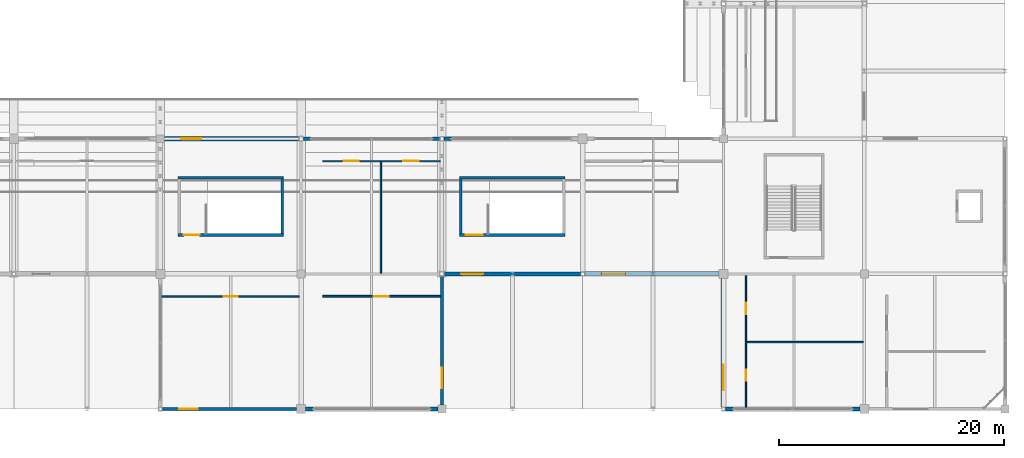
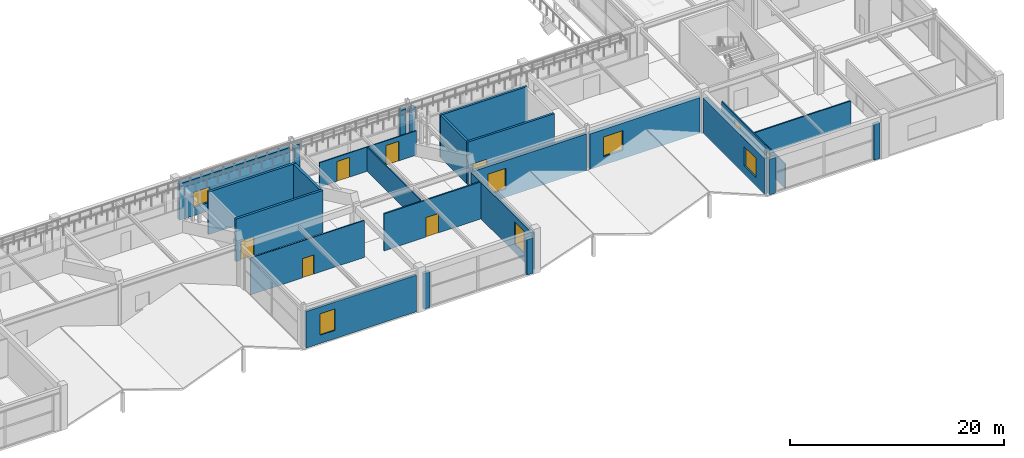
# One storey, part 91 of 128: 25 walls, 8 doors, 6 windows, 14 openings.
"""IFC4 building model written with IfcOpenShell, lengths in metres."""

from ifc_helpers import new_model, si_unit, direction, frame, frame_2d, origin, place, context, subcontext, project, spatial, rectangle, extrude, material, layer, layer_set, type_object, element, fill, save


model = new_model("IFC4")

# Units and contexts
model_context = context("Model", 3, precision=1e-05, world=origin(), true_north=direction((0.0, 1.0)))
body_context = subcontext(model_context, "Body", "Model", "MODEL_VIEW")
ifc_project = project(units=[si_unit("LENGTHUNIT", "METRE"), si_unit("AREAUNIT", "SQUARE_METRE"), si_unit("VOLUMEUNIT", "CUBIC_METRE"), si_unit("PLANEANGLEUNIT", "RADIAN"), si_unit("MASSUNIT", "GRAM", prefix="KILO")], contexts=[model_context])

# Site, building, storey
site_placement = place(None, origin())
site = spatial("IfcSite", under=ifc_project, at=site_placement, CompositionType="ELEMENT")
building_placement = place(site_placement, origin())
building = spatial("IfcBuilding", under=site, at=building_placement, Name="Kazenohara Klinker Stadium", CompositionType="ELEMENT")
storey_placement = place(building_placement, frame((0.0, 0.0, 15.300048828125)))
storey = spatial("IfcBuildingStorey", under=building, at=storey_placement, Name="L03", CompositionType="ELEMENT", Elevation=15.300048828125)

# Wall, opening, door
ifc_material_1 = material(Name="Concrete C40/50", Category="concrete")
ifc_layer_1 = layer(ifc_material_1, 0.22998046875)
ifc_layer_set_1 = layer_set([ifc_layer_1], Name="Concrete C40/50")
wall_type_1 = type_object("IfcWallType", Name="WAL-CORE-230", PredefinedType="SHEAR", material=ifc_layer_set_1)
wall_1_placement = place(storey_placement, frame((151.570068359375, 27.455078125, 0.0), z_axis=(0.0, 0.0, 1.0), x_axis=(1.0, 0.0, 0.0)))
wall_1 = element("IfcWall", 1, at=wall_1_placement, inside=storey, type_object=wall_type_1, Name="Stairwell shear wall ST28 L03 South", PredefinedType="SHEAR", context=body_context, shape_type="SweptSolid", body=[
    extrude(rectangle(XDim=9.35986328125, YDim=0.22998046875, at=frame_2d((4.679931640625, 0.0))), origin(), (0.0, 0.0, 1.0), 4.85986328125),
])
opening_1_placement = place(wall_1_placement, frame((0.550048828125, 0.0, 0.0)))
opening_1 = element("IfcOpeningElement", 2, at=opening_1_placement, cuts=wall_1, Name="Opening SD02", PredefinedType="OPENING", context=body_context, shape_type="SweptSolid", body=[
    extrude(rectangle(XDim=1.5, YDim=2.199951171875, at=frame_2d((0.75, 1.10009765625))), frame((0.0, 0.125, 0.0), z_axis=(0.0, -1.0, 0.0), x_axis=(1.0, 0.0, 0.0)), (0.0, 0.0, 1.0), 0.25),
])
ifc_material_2 = material(Name="Flush painted steel fire door leaf", Category="steel")
door_type_1 = type_object("IfcDoorType", Name="DR-STR-1500x2200", OperationType="NOTDEFINED", PredefinedType="DOOR", material=ifc_material_2)
door_1_placement = place(opening_1_placement, origin())
door_1 = element("IfcDoor", 3, at=door_1_placement, inside=storey, type_object=door_type_1, Name="Escape stairwell fire door ST28-L03", OperationType="SINGLE_SWING_RIGHT", OverallHeight=2.199951171875, OverallWidth=1.5, PredefinedType="DOOR", context=body_context, shape_type="SweptSolid", body=[
    extrude(rectangle(XDim=1.5, YDim=2.199951171875, at=frame_2d((0.75, 1.10009765625))), frame((0.0, 0.02490234375, 0.0), z_axis=(0.0, -1.0, 0.0), x_axis=(1.0, 0.0, 0.0)), (0.0, 0.0, 1.0), 0.050048828125),
])
fill(opening_1, door_1)

# Walls
wall_2_placement = place(storey_placement, frame((151.570068359375, 32.544921875, 0.0), z_axis=(0.0, 0.0, 1.0), x_axis=(1.0, 0.0, 0.0)))
element("IfcWall", 4, at=wall_2_placement, inside=storey, type_object=wall_type_1, Name="Stairwell shear wall ST28 L03 North", PredefinedType="SHEAR", context=body_context, shape_type="SweptSolid", body=[
    extrude(rectangle(XDim=9.35986328125, YDim=0.22998046875, at=frame_2d((4.679931640625, 0.0))), origin(), (0.0, 0.0, 1.0), 4.85986328125),
])
wall_3_placement = place(storey_placement, frame((151.68505859375, 27.570068359375, 0.0), z_axis=(0.0, 0.0, 1.0), x_axis=(0.0, 1.0, 0.0)))
element("IfcWall", 5, at=wall_3_placement, inside=storey, type_object=wall_type_1, Name="Stairwell shear wall ST28 L03 West", PredefinedType="SHEAR", context=body_context, shape_type="SweptSolid", body=[
    extrude(rectangle(XDim=4.85986328125, YDim=0.22998046875, at=frame_2d((2.429931640625, 0.0))), origin(), (0.0, 0.0, 1.0), 4.85986328125),
])

# Wall, opening, door
ifc_layer_2 = layer(ifc_material_1, 0.25)
ifc_layer_set_2 = layer_set([ifc_layer_2], Name="Concrete C40/50")
wall_type_2 = type_object("IfcWallType", Name="WAL-CORE-250", PredefinedType="SHEAR", material=ifc_layer_set_2)
wall_4_placement = place(storey_placement, frame((126.550048828125, 27.455078125, 0.0), z_axis=(0.0, 0.0, 1.0), x_axis=(1.0, 0.0, 0.0)))
wall_4 = element("IfcWall", 6, at=wall_4_placement, inside=storey, type_object=wall_type_2, Name="Stairwell shear wall ST27 L03 South", PredefinedType="SHEAR", context=body_context, shape_type="SweptSolid", body=[
    extrude(rectangle(XDim=9.39990234375, YDim=0.25, at=frame_2d((4.699951171875, 0.0))), origin(), (0.0, 0.0, 1.0), 4.85986328125),
])
opening_2_placement = place(wall_4_placement, frame((0.550048828125, 0.0, 0.0)))
opening_2 = element("IfcOpeningElement", 7, at=opening_2_placement, cuts=wall_4, Name="Opening SD01", PredefinedType="OPENING", context=body_context, shape_type="SweptSolid", body=[
    extrude(rectangle(XDim=1.39990234375, YDim=2.14990234375, at=frame_2d((0.699951171875, 1.074951171875))), frame((0.0, 0.135009765625, 0.0), z_axis=(0.0, -1.0, 0.0), x_axis=(1.0, 0.0, 0.0)), (0.0, 0.0, 1.0), 0.27001953125),
])
door_type_2 = type_object("IfcDoorType", Name="DR-STR-1400x2150", OperationType="NOTDEFINED", PredefinedType="DOOR", material=ifc_material_2)
door_2_placement = place(opening_2_placement, origin())
door_2 = element("IfcDoor", 8, at=door_2_placement, inside=storey, type_object=door_type_2, Name="Escape stairwell fire door ST27-L03", OperationType="SINGLE_SWING_RIGHT", OverallHeight=2.14990234375, OverallWidth=1.39990234375, PredefinedType="DOOR", context=body_context, shape_type="SweptSolid", body=[
    extrude(rectangle(XDim=1.39990234375, YDim=2.14990234375, at=frame_2d((0.699951171875, 1.074951171875))), frame((0.0, 0.02490234375, 0.0), z_axis=(0.0, -1.0, 0.0), x_axis=(1.0, 0.0, 0.0)), (0.0, 0.0, 1.0), 0.050048828125),
])
fill(opening_2, door_2)

# Walls
wall_5_placement = place(storey_placement, frame((126.550048828125, 32.544921875, 0.0), z_axis=(0.0, 0.0, 1.0), x_axis=(1.0, 0.0, 0.0)))
element("IfcWall", 9, at=wall_5_placement, inside=storey, type_object=wall_type_2, Name="Stairwell shear wall ST27 L03 North", PredefinedType="SHEAR", context=body_context, shape_type="SweptSolid", body=[
    extrude(rectangle(XDim=9.39990234375, YDim=0.25, at=frame_2d((4.699951171875, 0.0))), origin(), (0.0, 0.0, 1.0), 4.85986328125),
])
wall_6_placement = place(storey_placement, frame((135.824951171875, 27.580078125, 0.0), z_axis=(0.0, 0.0, 1.0), x_axis=(0.0, 1.0, 0.0)))
element("IfcWall", 10, at=wall_6_placement, inside=storey, type_object=wall_type_2, Name="Stairwell shear wall ST27 L03 East", PredefinedType="SHEAR", context=body_context, shape_type="SweptSolid", body=[
    extrude(rectangle(XDim=4.83984375, YDim=0.25, at=frame_2d((2.419921875, 0.0))), origin(), (0.0, 0.0, 1.0), 4.85986328125),
])

# Wall, opening, window
ifc_material_3 = material(Name="Clinker brick masonry", Category="masonry")
ifc_layer_3 = layer(ifc_material_3, 0.280029296875)
ifc_layer_set_3 = layer_set([ifc_layer_3], Name="Clinker brick masonry")
wall_type_3 = type_object("IfcWallType", Name="WAL-EXT-CB280", PredefinedType="SOLIDWALL", material=ifc_layer_set_3)
wall_7_placement = place(storey_placement, frame((125.178955078125, 12.0, 0.0), z_axis=(0.0, 0.0, 1.0), x_axis=(1.0, 0.0, 0.0)))
wall_7 = element("IfcWall", 11, at=wall_7_placement, inside=storey, type_object=wall_type_3, Name="Clinker brick cavity wall EW06 L03 X10-1", PredefinedType="SOLIDWALL", context=body_context, shape_type="SweptSolid", body=[
    extrude(rectangle(XDim=11.9169921875, YDim=0.280029296875, at=frame_2d((5.95849609375, 0.0))), origin(), (0.0, 0.0, 1.0), 4.171875),
])
opening_3_placement = place(wall_7_placement, frame((1.5, 0.0, 0.949951171875)))
opening_3 = element("IfcOpeningElement", 12, at=opening_3_placement, cuts=wall_7, Name="Opening W12", PredefinedType="OPENING", context=body_context, shape_type="SweptSolid", body=[
    extrude(rectangle(XDim=1.64990234375, YDim=2.449951171875, at=frame_2d((0.824951171875, 1.22509765625))), frame((0.0, 0.14990234375, 0.0), z_axis=(0.0, -1.0, 0.0), x_axis=(1.0, 0.0, 0.0)), (0.0, 0.0, 1.0), 0.300048828125),
])
ifc_material_4 = material(Name="Dark bronze aluminium frame and triple glazing", Category="aluminium")
window_type_1 = type_object("IfcWindowType", Name="WIN-AS-12", PartitioningType="SINGLE_PANEL", PredefinedType="WINDOW", material=ifc_material_4)
window_1_placement = place(opening_3_placement, origin())
window_1 = element("IfcWindow", 13, at=window_1_placement, inside=storey, type_object=window_type_1, Name="Horizontal-mullion ladder window W12 L03 X10-1", OverallHeight=2.449951171875, OverallWidth=1.64990234375, PartitioningType="SINGLE_PANEL", PredefinedType="WINDOW", context=body_context, shape_type="SweptSolid", body=[
    extrude(rectangle(XDim=1.64990234375, YDim=2.449951171875, at=frame_2d((0.824951171875, 1.22509765625))), frame((0.0, 0.030029296875, 0.0), z_axis=(0.0, -1.0, 0.0), x_axis=(1.0, 0.0, 0.0)), (0.0, 0.0, 1.0), 0.06005859375),
])
fill(opening_3, window_1)

wall_8_placement = place(storey_placement, frame((150.0, 12.35400390625, 0.0), z_axis=(0.0, 0.0, 1.0), x_axis=(0.0, 1.0, 0.0)))
wall_8 = element("IfcWall", 14, at=wall_8_placement, inside=storey, type_object=wall_type_3, Name="Clinker brick cavity wall EW06 L03 Y12-1", PredefinedType="SOLIDWALL", context=body_context, shape_type="SweptSolid", body=[
    extrude(rectangle(XDim=11.44189453125, YDim=0.280029296875, at=frame_2d((5.720947265625, 0.0))), origin(), (0.0, 0.0, 1.0), 4.159912109375),
])
opening_4_placement = place(wall_8_placement, frame((1.5, 0.0, 0.949951171875)))
opening_4 = element("IfcOpeningElement", 15, at=opening_4_placement, cuts=wall_8, Name="Opening W15", PredefinedType="OPENING", context=body_context, shape_type="SweptSolid", body=[
    extrude(rectangle(XDim=1.800048828125, YDim=2.550048828125, at=frame_2d((0.89990234375, 1.27490234375))), frame((0.0, 0.14990234375, 0.0), z_axis=(0.0, -1.0, 0.0), x_axis=(1.0, 0.0, 0.0)), (0.0, 0.0, 1.0), 0.300048828125),
])
window_type_2 = type_object("IfcWindowType", Name="WIN-AS-15", PartitioningType="SINGLE_PANEL", PredefinedType="WINDOW", material=ifc_material_4)
window_2_placement = place(opening_4_placement, origin())
window_2 = element("IfcWindow", 16, at=window_2_placement, inside=storey, type_object=window_type_2, Name="Horizontal-mullion ladder window W15 L03 Y12-1", OverallHeight=2.550048828125, OverallWidth=1.800048828125, PartitioningType="SINGLE_PANEL", PredefinedType="WINDOW", context=body_context, shape_type="SweptSolid", body=[
    extrude(rectangle(XDim=1.800048828125, YDim=2.550048828125, at=frame_2d((0.89990234375, 1.27490234375))), frame((0.0, 0.030029296875, 0.0), z_axis=(0.0, -1.0, 0.0), x_axis=(1.0, 0.0, 0.0)), (0.0, 0.0, 1.0), 0.06005859375),
])
fill(opening_4, window_2)

# Walls
ifc_layer_4 = layer(ifc_material_3, 0.340087890625)
ifc_layer_set_4 = layer_set([ifc_layer_4], Name="Clinker brick masonry")
wall_type_4 = type_object("IfcWallType", Name="WAL-EXT-CB340", PredefinedType="SOLIDWALL", material=ifc_layer_set_4)
for number, where, z_axis, x_axis, name in (
    (17, (137.904052734375, 12.0, 0.0), (0.0, 0.0, 1.0), (1.0, 0.0, 0.0), "Clinker brick curtain-wall jamb pier L03 X11-1 A"),
    (18, (148.99609375, 12.0, 0.0), (0.0, 0.0, 1.0), (1.0, 0.0, 0.0), "Clinker brick curtain-wall jamb pier L03 X11-1 B"),
):
    element("IfcWall", number, at=place(storey_placement, frame(where, z_axis=z_axis, x_axis=x_axis)), inside=storey, type_object=wall_type_4, Name=name, PredefinedType="SOLIDWALL", context=body_context, shape_type="SweptSolid", body=[
        extrude(rectangle(XDim=0.64990234375, YDim=0.340087890625, at=frame_2d((0.324951171875, 0.0))), origin(), (0.0, 0.0, 1.0), 4.06005859375),
    ])
wall_9_placement = place(storey_placement, frame((137.7041015625, 36.0, 0.0), z_axis=(0.0, 0.0, 1.0), x_axis=(1.0, 0.0, 0.0)))
element("IfcWall", 19, at=wall_9_placement, inside=storey, type_object=wall_type_4, Name="Clinker brick curtain-wall jamb pier L03 X11-3 A", PredefinedType="SOLIDWALL", context=body_context, shape_type="SweptSolid", body=[
    extrude(rectangle(XDim=0.64990234375, YDim=0.340087890625, at=frame_2d((0.324951171875, 0.0))), origin(), (0.0, 0.0, 1.0), 4.171875),
])
wall_10_placement = place(storey_placement, frame((149.1708984375, 36.0, 0.0), z_axis=(0.0, 0.0, 1.0), x_axis=(1.0, 0.0, 0.0)))
element("IfcWall", 20, at=wall_10_placement, inside=storey, type_object=wall_type_4, Name="Clinker brick curtain-wall jamb pier L03 X11-3 B", PredefinedType="SOLIDWALL", context=body_context, shape_type="SweptSolid", body=[
    extrude(rectangle(XDim=0.650146484375, YDim=0.340087890625, at=frame_2d((0.3251953125, 0.0))), origin(), (0.0, 0.0, 1.0), 4.171875),
])

# Wall, opening, window
wall_11_placement = place(storey_placement, frame((150.2041015625, 24.0, 0.0), z_axis=(0.0, 0.0, 1.0), x_axis=(1.0, 0.0, 0.0)))
wall_11 = element("IfcWall", 21, at=wall_11_placement, inside=storey, type_object=wall_type_4, Name="Clinker brick cavity wall EW04 L03 X12-2", PredefinedType="SOLIDWALL", context=body_context, shape_type="SweptSolid", body=[
    extrude(rectangle(XDim=12.116943359375, YDim=0.340087890625, at=frame_2d((6.05859375, 0.0))), origin(), (0.0, 0.0, 1.0), 4.171875),
])
opening_5_placement = place(wall_11_placement, frame((1.5, 0.0, 0.949951171875)))
opening_5 = element("IfcOpeningElement", 22, at=opening_5_placement, cuts=wall_11, Name="Opening W17", PredefinedType="OPENING", context=body_context, shape_type="SweptSolid", body=[
    extrude(rectangle(XDim=1.949951171875, YDim=2.35009765625, at=frame_2d((0.97509765625, 1.175048828125))), frame((0.0, 0.18017578125, 0.0), z_axis=(0.0, -1.0, 0.0), x_axis=(1.0, 0.0, 0.0)), (0.0, 0.0, 1.0), 0.360107421875),
])
window_type_3 = type_object("IfcWindowType", Name="WIN-AS-17", PartitioningType="SINGLE_PANEL", PredefinedType="WINDOW", material=ifc_material_4)
window_3_placement = place(opening_5_placement, origin())
window_3 = element("IfcWindow", 23, at=window_3_placement, inside=storey, type_object=window_type_3, Name="Horizontal-mullion ladder window W17 L03 X12-2", OverallHeight=2.35009765625, OverallWidth=1.949951171875, PartitioningType="SINGLE_PANEL", PredefinedType="WINDOW", context=body_context, shape_type="SweptSolid", body=[
    extrude(rectangle(XDim=1.949951171875, YDim=2.35009765625, at=frame_2d((0.97509765625, 1.175048828125))), frame((0.0, 0.030029296875, 0.0), z_axis=(0.0, -1.0, 0.0), x_axis=(1.0, 0.0, 0.0)), (0.0, 0.0, 1.0), 0.06005859375),
])
fill(opening_5, window_3)

# Walls
for number, where, z_axis, x_axis, name in (
    (24, (150.178955078125, 36.0, 0.0), (0.0, 0.0, 1.0), (1.0, 0.0, 0.0), "Clinker brick curtain-wall jamb pier L03 X12-3 A"),
    (25, (175.178955078125, 12.0, 0.0), (0.0, 0.0, 1.0), (1.0, 0.0, 0.0), "Clinker brick curtain-wall jamb pier L03 X14-1 A"),
):
    element("IfcWall", number, at=place(storey_placement, frame(where, z_axis=z_axis, x_axis=x_axis)), inside=storey, type_object=wall_type_4, Name=name, PredefinedType="SOLIDWALL", context=body_context, shape_type="SweptSolid", body=[
        extrude(rectangle(XDim=0.650146484375, YDim=0.340087890625, at=frame_2d((0.3251953125, 0.0))), origin(), (0.0, 0.0, 1.0), 4.06005859375),
    ])
wall_12_placement = place(storey_placement, frame((186.446044921875, 12.0, 0.0), z_axis=(0.0, 0.0, 1.0), x_axis=(1.0, 0.0, 0.0)))
element("IfcWall", 26, at=wall_12_placement, inside=storey, type_object=wall_type_4, Name="Clinker brick curtain-wall jamb pier L03 X14-1 B", PredefinedType="SOLIDWALL", context=body_context, shape_type="SweptSolid", body=[
    extrude(rectangle(XDim=0.64990234375, YDim=0.340087890625, at=frame_2d((0.324951171875, 0.0))), origin(), (0.0, 0.0, 1.0), 4.06005859375),
])

# Wall, opening, window
ifc_layer_5 = layer(ifc_material_3, 0.409912109375)
ifc_layer_set_5 = layer_set([ifc_layer_5], Name="Clinker brick masonry")
wall_type_5 = type_object("IfcWallType", Name="WAL-EXT-CB410", PredefinedType="SOLIDWALL", material=ifc_layer_set_5)
wall_13_placement = place(storey_placement, frame((125.35400390625, 36.0, 0.0), z_axis=(0.0, 0.0, 1.0), x_axis=(1.0, 0.0, 0.0)))
wall_13 = element("IfcWall", 27, at=wall_13_placement, inside=storey, type_object=wall_type_5, Name="Clinker brick cavity wall EW02 L03 X10-3", PredefinedType="SOLIDWALL", context=body_context, shape_type="SweptSolid", body=[
    extrude(rectangle(XDim=11.94189453125, YDim=0.409912109375, at=frame_2d((5.970947265625, 0.0))), origin(), (0.0, 0.0, 1.0), 4.159912109375),
])
opening_6_placement = place(wall_13_placement, frame((1.5, 0.0, 0.949951171875)))
opening_6 = element("IfcOpeningElement", 28, at=opening_6_placement, cuts=wall_13, Name="Opening W13", PredefinedType="OPENING", context=body_context, shape_type="SweptSolid", body=[
    extrude(rectangle(XDim=1.800048828125, YDim=1.75, at=frame_2d((0.89990234375, 0.875))), frame((0.0, 0.21484375, 0.0), z_axis=(0.0, -1.0, 0.0), x_axis=(1.0, 0.0, 0.0)), (0.0, 0.0, 1.0), 0.429931640625),
])
window_type_4 = type_object("IfcWindowType", Name="WIN-AS-13", PartitioningType="SINGLE_PANEL", PredefinedType="WINDOW", material=ifc_material_4)
window_4_placement = place(opening_6_placement, origin())
window_4 = element("IfcWindow", 29, at=window_4_placement, inside=storey, type_object=window_type_4, Name="Horizontal-mullion ladder window W13 L03 X10-3", OverallHeight=1.75, OverallWidth=1.800048828125, PartitioningType="SINGLE_PANEL", PredefinedType="WINDOW", context=body_context, shape_type="SweptSolid", body=[
    extrude(rectangle(XDim=1.800048828125, YDim=1.75, at=frame_2d((0.89990234375, 0.875))), frame((0.0, 0.030029296875, 0.0), z_axis=(0.0, -1.0, 0.0), x_axis=(1.0, 0.0, 0.0)), (0.0, 0.0, 1.0), 0.06005859375),
])
fill(opening_6, window_4)

wall_14_placement = place(storey_placement, frame((162.678955078125, 24.0, 0.0), z_axis=(0.0, 0.0, 1.0), x_axis=(1.0, 0.0, 0.0)))
wall_14 = element("IfcWall", 30, at=wall_14_placement, inside=storey, type_object=wall_type_5, Name="Clinker brick cavity wall EW02 L03 X13-2", PredefinedType="SOLIDWALL", context=body_context, shape_type="SweptSolid", body=[
    extrude(rectangle(XDim=11.9169921875, YDim=0.409912109375, at=frame_2d((5.95849609375, 0.0))), origin(), (0.0, 0.0, 1.0), 4.06005859375),
])
opening_7_placement = place(wall_14_placement, frame((1.5, 0.0, 0.949951171875)))
opening_7 = element("IfcOpeningElement", 31, at=opening_7_placement, cuts=wall_14, Name="Opening W19", PredefinedType="OPENING", context=body_context, shape_type="SweptSolid", body=[
    extrude(rectangle(XDim=2.10009765625, YDim=2.25, at=frame_2d((1.050048828125, 1.125))), frame((0.0, 0.21484375, 0.0), z_axis=(0.0, -1.0, 0.0), x_axis=(1.0, 0.0, 0.0)), (0.0, 0.0, 1.0), 0.429931640625),
])
window_type_5 = type_object("IfcWindowType", Name="WIN-AS-19", PartitioningType="SINGLE_PANEL", PredefinedType="WINDOW", material=ifc_material_4)
window_5_placement = place(opening_7_placement, origin())
window_5 = element("IfcWindow", 32, at=window_5_placement, inside=storey, type_object=window_type_5, Name="Horizontal-mullion ladder window W19 L03 X13-2", OverallHeight=2.25, OverallWidth=2.10009765625, PartitioningType="SINGLE_PANEL", PredefinedType="WINDOW", context=body_context, shape_type="SweptSolid", body=[
    extrude(rectangle(XDim=2.10009765625, YDim=2.25, at=frame_2d((1.050048828125, 1.125))), frame((0.0, 0.030029296875, 0.0), z_axis=(0.0, -1.0, 0.0), x_axis=(1.0, 0.0, 0.0)), (0.0, 0.0, 1.0), 0.06005859375),
])
fill(opening_7, window_5)

wall_15_placement = place(storey_placement, frame((175.0, 12.178955078125, 0.0), z_axis=(0.0, 0.0, 1.0), x_axis=(0.0, 1.0, 0.0)))
wall_15 = element("IfcWall", 33, at=wall_15_placement, inside=storey, type_object=wall_type_5, Name="Clinker brick cavity wall EW02 L03 Y14-1", PredefinedType="SOLIDWALL", context=body_context, shape_type="SweptSolid", body=[
    extrude(rectangle(XDim=11.4169921875, YDim=0.409912109375, at=frame_2d((5.70849609375, 0.0))), origin(), (0.0, 0.0, 1.0), 4.06005859375),
])
opening_8_placement = place(wall_15_placement, frame((1.5, 0.0, 0.949951171875)))
opening_8 = element("IfcOpeningElement", 34, at=opening_8_placement, cuts=wall_15, Name="Opening W22", PredefinedType="OPENING", context=body_context, shape_type="SweptSolid", body=[
    extrude(rectangle(XDim=2.25, YDim=2.199951171875, at=frame_2d((1.125, 1.10009765625))), frame((0.0, 0.21484375, 0.0), z_axis=(0.0, -1.0, 0.0), x_axis=(1.0, 0.0, 0.0)), (0.0, 0.0, 1.0), 0.429931640625),
])
window_type_6 = type_object("IfcWindowType", Name="WIN-AS-22", PartitioningType="SINGLE_PANEL", PredefinedType="WINDOW", material=ifc_material_4)
window_6_placement = place(opening_8_placement, origin())
window_6 = element("IfcWindow", 35, at=window_6_placement, inside=storey, type_object=window_type_6, Name="Horizontal-mullion ladder window W22 L03 Y14-1", OverallHeight=2.199951171875, OverallWidth=2.25, PartitioningType="SINGLE_PANEL", PredefinedType="WINDOW", context=body_context, shape_type="SweptSolid", body=[
    extrude(rectangle(XDim=2.25, YDim=2.199951171875, at=frame_2d((1.125, 1.10009765625))), frame((0.0, 0.030029296875, 0.0), z_axis=(0.0, -1.0, 0.0), x_axis=(1.0, 0.0, 0.0)), (0.0, 0.0, 1.0), 0.06005859375),
])
fill(opening_8, window_6)

# Wall, openings, doors
ifc_material_5 = material(Name="Fire-rated gypsum board on acoustic studs", Category="gypsum")
ifc_layer_6 = layer(ifc_material_5, 0.110107421875)
ifc_layer_set_6 = layer_set([ifc_layer_6], Name="Fire-rated gypsum board on acoustic studs")
wall_type_6 = type_object("IfcWallType", Name="WAL-INT-P110", PredefinedType="PARTITIONING", material=ifc_layer_set_6)
wall_16_placement = place(storey_placement, frame((139.419921875, 34.010009765625, 0.0), z_axis=(0.0, 0.0, 1.0), x_axis=(1.0, 0.0, 0.0)))
wall_16 = element("IfcWall", 36, at=wall_16_placement, inside=storey, type_object=wall_type_6, Name="Interior partition wall PT01 SPC-L03-11-02-1-1", PredefinedType="PARTITIONING", context=body_context, shape_type="SweptSolid", body=[
    extrude(rectangle(XDim=10.420166015625, YDim=0.110107421875, at=frame_2d((5.2099609375, 0.0))), origin(), (0.0, 0.0, 1.0), 2.77001953125),
])
opening_9_placement = place(wall_16_placement, frame((3.218994140625, 0.0, 0.0), z_axis=(0.0, 0.0, 1.0), x_axis=(-1.0, 0.0, 0.0)))
opening_9 = element("IfcOpeningElement", 37, at=opening_9_placement, cuts=wall_16, Name="Opening ID17", PredefinedType="OPENING", context=body_context, shape_type="SweptSolid", body=[
    extrude(rectangle(XDim=1.360107421875, YDim=2.25, at=frame_2d((0.68017578125, 1.125))), frame((0.0, 0.06494140625, 0.0), z_axis=(0.0, -1.0, 0.0), x_axis=(1.0, 0.0, 0.0)), (0.0, 0.0, 1.0), 0.130126953125),
])
opening_10_placement = place(wall_16_placement, frame((8.52880859375, 0.0, 0.0), z_axis=(0.0, 0.0, 1.0), x_axis=(-1.0, 0.0, 0.0)))
opening_10 = element("IfcOpeningElement", 38, at=opening_10_placement, cuts=wall_16, Name="Opening ID18", PredefinedType="OPENING", context=body_context, shape_type="SweptSolid", body=[
    extrude(rectangle(XDim=1.39990234375, YDim=2.239990234375, at=frame_2d((0.699951171875, 1.1201171875))), frame((0.0, 0.06494140625, 0.0), z_axis=(0.0, -1.0, 0.0), x_axis=(1.0, 0.0, 0.0)), (0.0, 0.0, 1.0), 0.130126953125),
])
ifc_material_6 = material(Name="Solid-core Hokkaido oak fire door", Category="wood")
door_type_3 = type_object("IfcDoorType", Name="DR-INT-17", OperationType="NOTDEFINED", PredefinedType="DOOR", material=ifc_material_6)
door_3_placement = place(opening_9_placement, origin())
door_3 = element("IfcDoor", 39, at=door_3_placement, inside=storey, type_object=door_type_3, Name="Interior door ID17 East Panorama Concourse Dining Court L03-1102A", OperationType="SINGLE_SWING_RIGHT", OverallHeight=2.25, OverallWidth=1.360107421875, PredefinedType="DOOR", context=body_context, shape_type="SweptSolid", body=[
    extrude(rectangle(XDim=1.360107421875, YDim=2.25, at=frame_2d((0.68017578125, 1.125))), frame((0.0, 0.02490234375, 0.0), z_axis=(0.0, -1.0, 0.0), x_axis=(1.0, 0.0, 0.0)), (0.0, 0.0, 1.0), 0.050048828125),
])
fill(opening_9, door_3)
door_type_4 = type_object("IfcDoorType", Name="DR-INT-18", OperationType="NOTDEFINED", PredefinedType="DOOR", material=ifc_material_6)
door_4_placement = place(opening_10_placement, origin())
door_4 = element("IfcDoor", 40, at=door_4_placement, inside=storey, type_object=door_type_4, Name="Interior door ID18 Upper Concourse Supporter Dining Pavilion L03-1102B", OperationType="SINGLE_SWING_LEFT", OverallHeight=2.239990234375, OverallWidth=1.39990234375, PredefinedType="DOOR", context=body_context, shape_type="SweptSolid", body=[
    extrude(rectangle(XDim=1.39990234375, YDim=2.239990234375, at=frame_2d((0.699951171875, 1.1201171875))), frame((0.0, 0.02490234375, 0.0), z_axis=(0.0, -1.0, 0.0), x_axis=(1.0, 0.0, 0.0)), (0.0, 0.0, 1.0), 0.050048828125),
])
fill(opening_10, door_4)

# Wall, opening, door
ifc_layer_7 = layer(ifc_material_5, 0.1201171875)
ifc_layer_set_7 = layer_set([ifc_layer_7], Name="Fire-rated gypsum board on acoustic studs")
wall_type_7 = type_object("IfcWallType", Name="WAL-INT-P120", PredefinedType="PARTITIONING", material=ifc_layer_set_7)
wall_17_placement = place(storey_placement, frame((125.02392578125, 22.010009765625, 0.0), z_axis=(0.0, 0.0, 1.0), x_axis=(1.0, 0.0, 0.0)))
wall_17 = element("IfcWall", 41, at=wall_17_placement, inside=storey, type_object=wall_type_7, Name="Interior partition wall PT02 SPC-L03-10-01-1-1", PredefinedType="PARTITIONING", context=body_context, shape_type="SweptSolid", body=[
    extrude(rectangle(XDim=12.316162109375, YDim=0.1201171875, at=frame_2d((6.158203125, 0.0))), origin(), (0.0, 0.0, 1.0), 4.219970703125),
])
opening_11_placement = place(wall_17_placement, frame((6.8310546875, 0.0, 0.0), z_axis=(0.0, 0.0, 1.0), x_axis=(-1.0, 0.0, 0.0)))
opening_11 = element("IfcOpeningElement", 42, at=opening_11_placement, cuts=wall_17, Name="Opening ID12", PredefinedType="OPENING", context=body_context, shape_type="SweptSolid", body=[
    extrude(rectangle(XDim=1.2099609375, YDim=2.179931640625, at=frame_2d((0.60498046875, 1.08984375))), frame((0.0, 0.070068359375, 0.0), z_axis=(0.0, -1.0, 0.0), x_axis=(1.0, 0.0, 0.0)), (0.0, 0.0, 1.0), 0.14013671875),
])
door_type_5 = type_object("IfcDoorType", Name="DR-INT-12", OperationType="NOTDEFINED", PredefinedType="DOOR", material=ifc_material_6)
door_5_placement = place(opening_11_placement, origin())
door_5 = element("IfcDoor", 43, at=door_5_placement, inside=storey, type_object=door_type_5, Name="Interior door ID12 Upper Concourse Supporter Dining Pavilion L03-1001A", OperationType="SINGLE_SWING_LEFT", OverallHeight=2.179931640625, OverallWidth=1.2099609375, PredefinedType="DOOR", context=body_context, shape_type="SweptSolid", body=[
    extrude(rectangle(XDim=1.2099609375, YDim=2.179931640625, at=frame_2d((0.60498046875, 1.08984375))), frame((0.0, 0.02490234375, 0.0), z_axis=(0.0, -1.0, 0.0), x_axis=(1.0, 0.0, 0.0)), (0.0, 0.0, 1.0), 0.050048828125),
])
fill(opening_11, door_5)

# Wall
wall_18_placement = place(storey_placement, frame((144.577880859375, 24.080078125, 0.0), z_axis=(0.0, 0.0, 1.0), x_axis=(0.0, 1.0, 0.0)))
element("IfcWall", 44, at=wall_18_placement, inside=storey, type_object=wall_type_7, Name="Interior partition wall PT02 SPC-L03-11-02-1-2", PredefinedType="PARTITIONING", context=body_context, shape_type="SweptSolid", body=[
    extrude(rectangle(XDim=9.869873046875, YDim=0.1201171875, at=frame_2d((4.93505859375, 0.0))), origin(), (0.0, 0.0, 1.0), 2.77001953125),
])

# Wall, openings, doors
wall_19_placement = place(storey_placement, frame((176.989990234375, 12.02392578125, 0.0), z_axis=(0.0, 0.0, 1.0), x_axis=(0.0, 1.0, 0.0)))
wall_19 = element("IfcWall", 45, at=wall_19_placement, inside=storey, type_object=wall_type_7, Name="Interior partition wall PT02 SPC-L03-14-01-1-1", PredefinedType="PARTITIONING", context=body_context, shape_type="SweptSolid", body=[
    extrude(rectangle(XDim=11.816162109375, YDim=0.1201171875, at=frame_2d((5.908203125, 0.0))), origin(), (0.0, 0.0, 1.0), 2.77001953125),
])
opening_12_placement = place(wall_19_placement, frame((3.48681640625, 0.0, 0.0), z_axis=(0.0, 0.0, 1.0), x_axis=(-1.0, 0.0, 0.0)))
opening_12 = element("IfcOpeningElement", 46, at=opening_12_placement, cuts=wall_19, Name="Opening ID05", PredefinedType="OPENING", context=body_context, shape_type="SweptSolid", body=[
    extrude(rectangle(XDim=1.0, YDim=2.139892578125, at=frame_2d((0.5, 1.06982421875))), frame((0.0, 0.070068359375, 0.0), z_axis=(0.0, -1.0, 0.0), x_axis=(1.0, 0.0, 0.0)), (0.0, 0.0, 1.0), 0.14013671875),
])
opening_13_placement = place(wall_19_placement, frame((9.421875, 0.0, 0.0), z_axis=(0.0, 0.0, 1.0), x_axis=(-1.0, 0.0, 0.0)))
opening_13 = element("IfcOpeningElement", 47, at=opening_13_placement, cuts=wall_19, Name="Opening ID06", PredefinedType="OPENING", context=body_context, shape_type="SweptSolid", body=[
    extrude(rectangle(XDim=1.030029296875, YDim=2.1201171875, at=frame_2d((0.51513671875, 1.06005859375))), frame((0.0, 0.070068359375, 0.0), z_axis=(0.0, -1.0, 0.0), x_axis=(1.0, 0.0, 0.0)), (0.0, 0.0, 1.0), 0.14013671875),
])
door_type_6 = type_object("IfcDoorType", Name="DR-INT-05", OperationType="NOTDEFINED", PredefinedType="DOOR", material=ifc_material_6)
door_6_placement = place(opening_12_placement, origin())
door_6 = element("IfcDoor", 48, at=door_6_placement, inside=storey, type_object=door_type_6, Name="Interior door ID05 Crowd Safety Monitoring Control Studio L03-1401A", OperationType="SINGLE_SWING_RIGHT", OverallHeight=2.139892578125, OverallWidth=1.0, PredefinedType="DOOR", context=body_context, shape_type="SweptSolid", body=[
    extrude(rectangle(XDim=1.0, YDim=2.139892578125, at=frame_2d((0.5, 1.06982421875))), frame((0.0, 0.02490234375, 0.0), z_axis=(0.0, -1.0, 0.0), x_axis=(1.0, 0.0, 0.0)), (0.0, 0.0, 1.0), 0.050048828125),
])
fill(opening_12, door_6)
door_type_7 = type_object("IfcDoorType", Name="DR-INT-06", OperationType="NOTDEFINED", PredefinedType="DOOR", material=ifc_material_6)
door_7_placement = place(opening_13_placement, origin())
door_7 = element("IfcDoor", 49, at=door_7_placement, inside=storey, type_object=door_type_7, Name="Interior door ID06 Concourse Cold-Climate Hospitality Lounge L03-1401B", OperationType="SINGLE_SWING_LEFT", OverallHeight=2.1201171875, OverallWidth=1.030029296875, PredefinedType="DOOR", context=body_context, shape_type="SweptSolid", body=[
    extrude(rectangle(XDim=1.030029296875, YDim=2.1201171875, at=frame_2d((0.51513671875, 1.06005859375))), frame((0.0, 0.02490234375, 0.0), z_axis=(0.0, -1.0, 0.0), x_axis=(1.0, 0.0, 0.0)), (0.0, 0.0, 1.0), 0.050048828125),
])
fill(opening_13, door_7)

# Wall
ifc_layer_8 = layer(ifc_material_5, 0.139892578125)
ifc_layer_set_8 = layer_set([ifc_layer_8], Name="Fire-rated gypsum board on acoustic studs")
wall_type_8 = type_object("IfcWallType", Name="WAL-INT-P140", PredefinedType="PARTITIONING", material=ifc_layer_set_8)
wall_20_placement = place(storey_placement, frame((177.054931640625, 17.941650390625, 0.0), z_axis=(0.0, 0.0, 1.0), x_axis=(1.0, 0.0, 0.0)))
element("IfcWall", 50, at=wall_20_placement, inside=storey, type_object=wall_type_8, Name="Interior partition wall PT03 SPC-L03-14-01-1-2", PredefinedType="PARTITIONING", context=body_context, shape_type="SweptSolid", body=[
    extrude(rectangle(XDim=10.364990234375, YDim=0.139892578125, at=frame_2d((5.1826171875, 0.0))), origin(), (0.0, 0.0, 1.0), 2.77001953125),
])

# Wall, opening, door
ifc_layer_9 = layer(ifc_material_5, 0.14990234375)
ifc_layer_set_9 = layer_set([ifc_layer_9], Name="Fire-rated gypsum board on acoustic studs")
wall_type_9 = type_object("IfcWallType", Name="WAL-INT-P150", PredefinedType="PARTITIONING", material=ifc_layer_set_9)
wall_21_placement = place(storey_placement, frame((139.419921875, 22.010009765625, 0.0), z_axis=(0.0, 0.0, 1.0), x_axis=(1.0, 0.0, 0.0)))
wall_21 = element("IfcWall", 51, at=wall_21_placement, inside=storey, type_object=wall_type_9, Name="Interior partition wall PT04 SPC-L03-11-01-1-1", PredefinedType="PARTITIONING", context=body_context, shape_type="SweptSolid", body=[
    extrude(rectangle(XDim=10.43798828125, YDim=0.14990234375, at=frame_2d((5.218994140625, 0.0))), origin(), (0.0, 0.0, 1.0), 4.219970703125),
])
opening_14_placement = place(wall_21_placement, frame((5.875, 0.0, 0.0), z_axis=(0.0, 0.0, 1.0), x_axis=(-1.0, 0.0, 0.0)))
opening_14 = element("IfcOpeningElement", 52, at=opening_14_placement, cuts=wall_21, Name="Opening ID16", PredefinedType="OPENING", context=body_context, shape_type="SweptSolid", body=[
    extrude(rectangle(XDim=1.330078125, YDim=2.219970703125, at=frame_2d((0.6650390625, 1.10986328125))), frame((0.0, 0.0849609375, 0.0), z_axis=(0.0, -1.0, 0.0), x_axis=(1.0, 0.0, 0.0)), (0.0, 0.0, 1.0), 0.169921875),
])
door_type_8 = type_object("IfcDoorType", Name="DR-INT-16", OperationType="NOTDEFINED", PredefinedType="DOOR", material=ifc_material_6)
door_8_placement = place(opening_14_placement, origin())
door_8 = element("IfcDoor", 53, at=door_8_placement, inside=storey, type_object=door_type_8, Name="Interior door ID16 Supporter Tifo Workshop Studio L03-1101A", OperationType="SINGLE_SWING_LEFT", OverallHeight=2.219970703125, OverallWidth=1.330078125, PredefinedType="DOOR", context=body_context, shape_type="SweptSolid", body=[
    extrude(rectangle(XDim=1.330078125, YDim=2.219970703125, at=frame_2d((0.6650390625, 1.10986328125))), frame((0.0, 0.02490234375, 0.0), z_axis=(0.0, -1.0, 0.0), x_axis=(1.0, 0.0, 0.0)), (0.0, 0.0, 1.0), 0.050048828125),
])
fill(opening_14, door_8)

save(model, "model.ifc")
